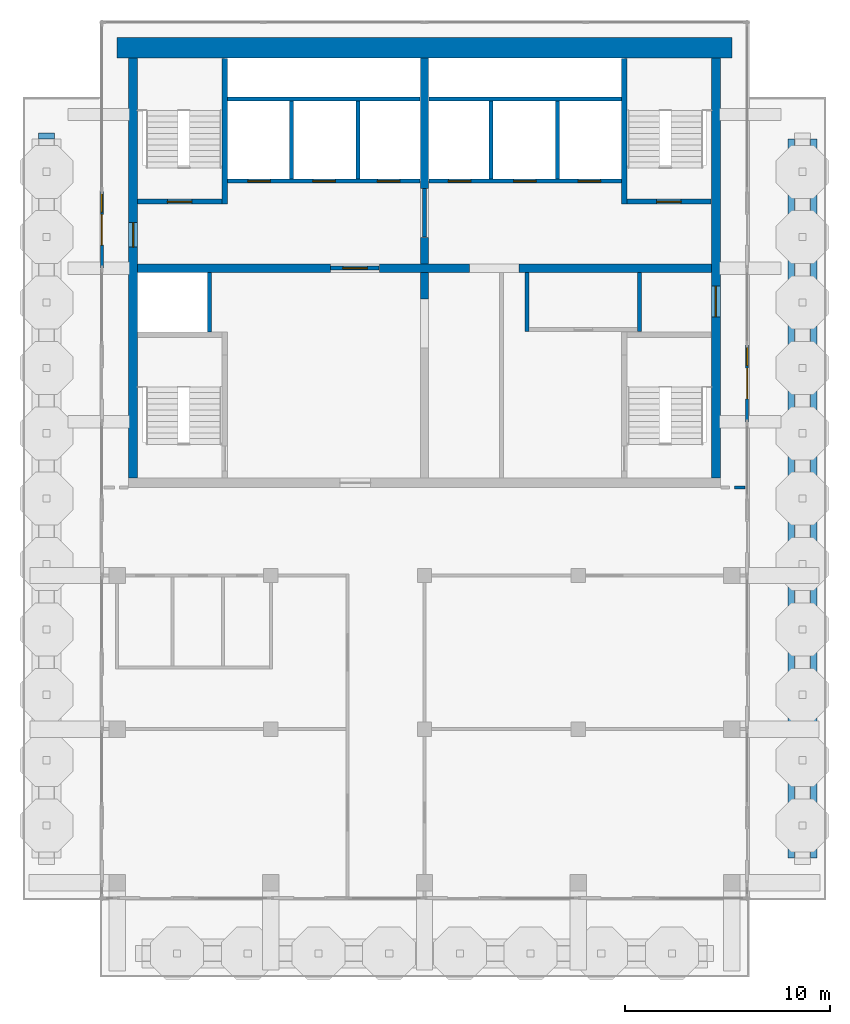
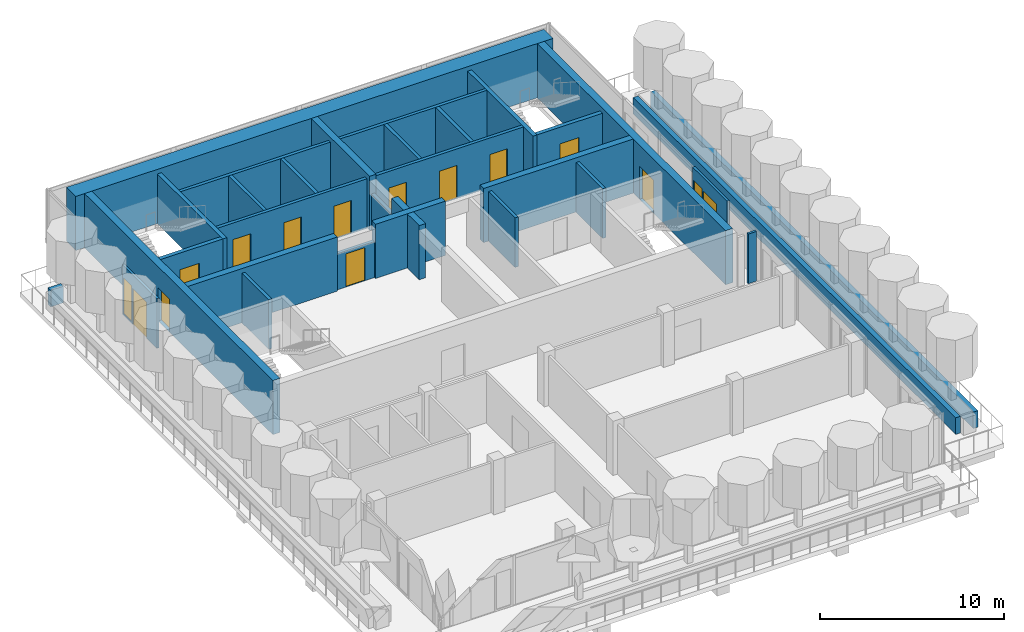
# One storey, part 6 of 10: 32 walls, 13 doors, 2 windows, 15 openings.
"""IFC4 building model written with IfcOpenShell, lengths in metres."""

from ifc_helpers import new_model, si_unit, direction, frame, frame_2d, origin, place, context, subcontext, project, spatial, rectangle, extrude, material, layer, layer_set, type_object, element, fill, save


model = new_model("IFC4")

# Units and contexts
model_context = context("Model", 3, precision=1e-05, world=origin(), true_north=direction((0.0, 1.0)))
body_context = subcontext(model_context, "Body", "Model", "MODEL_VIEW")
ifc_project = project(units=[si_unit("LENGTHUNIT", "METRE"), si_unit("AREAUNIT", "SQUARE_METRE"), si_unit("VOLUMEUNIT", "CUBIC_METRE"), si_unit("PLANEANGLEUNIT", "RADIAN"), si_unit("MASSUNIT", "GRAM", prefix="KILO")], contexts=[model_context])

# Site, building, storey
site_placement = place(None, origin())
site = spatial("IfcSite", under=ifc_project, at=site_placement, CompositionType="ELEMENT")
building_placement = place(site_placement, origin())
building = spatial("IfcBuilding", under=site, at=building_placement, Name="Pilkhan Gate Tower", CompositionType="ELEMENT")
storey_placement = place(building_placement, frame((0.0, 0.0, 272.89990234375)))
storey = spatial("IfcBuildingStorey", under=building, at=storey_placement, Name="L71", CompositionType="ELEMENT", Elevation=272.89990234375)

# Wall
ifc_material_1 = material(Name="Concrete C50/60", Category="concrete")
ifc_layer_1 = layer(ifc_material_1, 1.0)
ifc_layer_set_1 = layer_set([ifc_layer_1], Name="Core wall CW1000 C50/60")
wall_type_1 = type_object("IfcWallType", Name="Core wall CW1000 C50/60", PredefinedType="SHEAR", material=ifc_layer_set_1)
wall_1_placement = place(storey_placement, frame((90.0, 93.25, 0.0), z_axis=(0.0, 0.0, 1.0), x_axis=(-1.0, 0.0, 0.0)))
element("IfcWall", 1, at=wall_1_placement, inside=storey, type_object=wall_type_1, Name="Core wall N L71", PredefinedType="SHEAR", context=body_context, shape_type="SweptSolid", body=[
    extrude(rectangle(XDim=30.0, YDim=1.0, at=frame_2d((15.0, 0.0))), origin(), (0.0, 0.0, 1.0), 3.60009765625),
])

# Wall, opening, door
ifc_layer_2 = layer(ifc_material_1, 0.449951171875)
ifc_layer_set_2 = layer_set([ifc_layer_2], Name="Core wall CW450 C50/60")
wall_type_2 = type_object("IfcWallType", Name="Core wall CW450 C50/60", PredefinedType="SHEAR", material=ifc_layer_set_2)
wall_2_placement = place(storey_placement, frame((89.22509765625, 72.25, 0.0), z_axis=(0.0, 0.0, 1.0), x_axis=(0.0, 1.0, 0.0)))
wall_2 = element("IfcWall", 2, at=wall_2_placement, inside=storey, type_object=wall_type_2, Name="Core wall E L71", PredefinedType="SHEAR", context=body_context, shape_type="SweptSolid", body=[
    extrude(rectangle(XDim=20.5, YDim=0.449951171875, at=frame_2d((10.25, 0.0))), origin(), (0.0, 0.0, 1.0), 3.60009765625),
])
opening_1_placement = place(wall_2_placement, frame((7.875, 0.0, 0.0)))
opening_1 = element("IfcOpeningElement", 3, at=opening_1_placement, cuts=wall_2, Name="Opening L71-07", PredefinedType="OPENING", context=body_context, shape_type="SweptSolid", body=[
    extrude(rectangle(XDim=1.5, YDim=2.199951171875, at=frame_2d((0.75, 1.10009765625))), frame((0.0, 0.23486328125, 0.0), z_axis=(0.0, -1.0, 0.0), x_axis=(1.0, 0.0, 0.0)), (0.0, 0.0, 1.0), 0.469970703125),
])
ifc_material_2 = material(Name="Steel framed glazed door, 60 minute fire resisting", Category="steel")
door_type_1 = type_object("IfcDoorType", Name="Lobby door D09 1500x2200", OperationType="DOUBLE_DOOR_SINGLE_SWING", PredefinedType="DOOR", material=ifc_material_2)
door_1_placement = place(opening_1_placement, origin())
door_1 = element("IfcDoor", 4, at=door_1_placement, inside=storey, type_object=door_type_1, Name="Core door", OperationType="DOUBLE_DOOR_SINGLE_SWING", OverallHeight=2.199951171875, OverallWidth=1.5, PredefinedType="DOOR", context=body_context, shape_type="SweptSolid", body=[
    extrude(rectangle(XDim=1.5, YDim=2.199951171875, at=frame_2d((0.75, 1.10009765625))), frame((0.0, 0.02490234375, 0.0), z_axis=(0.0, -1.0, 0.0), x_axis=(1.0, 0.0, 0.0)), (0.0, 0.0, 1.0), 0.050048828125),
])
fill(opening_1, door_1)

wall_3_placement = place(storey_placement, frame((60.77490234375, 92.75, 0.0), z_axis=(0.0, 0.0, 1.0), x_axis=(0.0, -1.0, 0.0)))
wall_3 = element("IfcWall", 5, at=wall_3_placement, inside=storey, type_object=wall_type_2, Name="Core wall W L71", PredefinedType="SHEAR", context=body_context, shape_type="SweptSolid", body=[
    extrude(rectangle(XDim=20.5, YDim=0.449951171875, at=frame_2d((10.25, 0.0))), origin(), (0.0, 0.0, 1.0), 3.60009765625),
])
opening_2_placement = place(wall_3_placement, frame((8.02490234375, 0.0, 0.0)))
opening_2 = element("IfcOpeningElement", 6, at=opening_2_placement, cuts=wall_3, Name="Opening L71-09", PredefinedType="OPENING", context=body_context, shape_type="SweptSolid", body=[
    extrude(rectangle(XDim=1.199951171875, YDim=2.199951171875, at=frame_2d((0.60009765625, 1.10009765625))), frame((0.0, 0.23486328125, 0.0), z_axis=(0.0, -1.0, 0.0), x_axis=(1.0, 0.0, 0.0)), (0.0, 0.0, 1.0), 0.469970703125),
])
ifc_material_3 = material(Name="Steel door, 120 minute fire resisting, self-closing", Category="steel")
door_type_2 = type_object("IfcDoorType", Name="Firefighting lobby door D10 1200x2200", OperationType="SINGLE_SWING_LEFT", PredefinedType="DOOR", material=ifc_material_3)
door_2_placement = place(opening_2_placement, origin())
door_2 = element("IfcDoor", 7, at=door_2_placement, inside=storey, type_object=door_type_2, Name="Core door", OperationType="SINGLE_SWING_LEFT", OverallHeight=2.199951171875, OverallWidth=1.199951171875, PredefinedType="DOOR", context=body_context, shape_type="SweptSolid", body=[
    extrude(rectangle(XDim=1.199951171875, YDim=2.199951171875, at=frame_2d((0.60009765625, 1.10009765625))), frame((0.0, 0.02490234375, 0.0), z_axis=(0.0, -1.0, 0.0), x_axis=(1.0, 0.0, 0.0)), (0.0, 0.0, 1.0), 0.050048828125),
])
fill(opening_2, door_2)

# Wall, openings, door, window
ifc_material_4 = material(Name="Pale anodised aluminium, clear laminated glazing", Category="aluminium")
ifc_layer_3 = layer(ifc_material_4, 0.14990234375)
ifc_layer_set_3 = layer_set([ifc_layer_3], Name="Facade infill wall IW150")
wall_type_3 = type_object("IfcWallType", Name="Facade infill wall IW150", PredefinedType="SOLIDWALL", material=ifc_layer_set_3)
wall_4_placement = place(storey_placement, frame((90.75, 78.75, 0.0), z_axis=(0.0, 0.0, 1.0), x_axis=(0.0, -1.0, 0.0)))
wall_4 = element("IfcWall", 8, at=wall_4_placement, inside=storey, type_object=wall_type_3, Name="Infill wall L71 E", PredefinedType="SOLIDWALL", context=body_context, shape_type="SweptSolid", body=[
    extrude(rectangle(XDim=3.75, YDim=0.14990234375, at=frame_2d((1.875, 0.0))), origin(), (0.0, 0.0, 1.0), 3.300048828125),
])
opening_3_placement = place(wall_4_placement, frame((0.112548828125, 0.0, 0.10009765625)))
opening_3 = element("IfcOpeningElement", 9, at=opening_3_placement, cuts=wall_4, Name="Opening W1", PredefinedType="OPENING", context=body_context, shape_type="SweptSolid", body=[
    extrude(rectangle(XDim=0.89990234375, YDim=2.39990234375, at=frame_2d((0.449951171875, 1.199951171875))), frame((0.0, 0.0849609375, 0.0), z_axis=(0.0, -1.0, 0.0), x_axis=(1.0, 0.0, 0.0)), (0.0, 0.0, 1.0), 0.169921875),
])
opening_4_placement = place(wall_4_placement, frame((1.125, 0.0, 0.0)))
opening_4 = element("IfcOpeningElement", 10, at=opening_4_placement, cuts=wall_4, Name="Opening D5", PredefinedType="OPENING", context=body_context, shape_type="SweptSolid", body=[
    extrude(rectangle(XDim=1.5, YDim=2.39990234375, at=frame_2d((0.75, 1.199951171875))), frame((0.0, 0.0849609375, 0.0), z_axis=(0.0, -1.0, 0.0), x_axis=(1.0, 0.0, 0.0)), (0.0, 0.0, 1.0), 0.169921875),
])
ifc_material_5 = material(Name="Pale anodised aluminium, clear glazing", Category="aluminium")
door_type_3 = type_object("IfcDoorType", Name="Terrace door D5 1500x2400", OperationType="DOUBLE_DOOR_SINGLE_SWING", PredefinedType="DOOR", material=ifc_material_5)
door_3_placement = place(opening_4_placement, origin())
door_3 = element("IfcDoor", 11, at=door_3_placement, inside=storey, type_object=door_type_3, Name="Terrace door L71", OperationType="DOUBLE_DOOR_SINGLE_SWING", OverallHeight=2.39990234375, OverallWidth=1.5, PredefinedType="DOOR", context=body_context, shape_type="SweptSolid", body=[
    extrude(rectangle(XDim=1.5, YDim=2.39990234375, at=frame_2d((0.75, 1.199951171875))), frame((0.0, 0.02490234375, 0.0), z_axis=(0.0, -1.0, 0.0), x_axis=(1.0, 0.0, 0.0)), (0.0, 0.0, 1.0), 0.050048828125),
])
fill(opening_4, door_3)
ifc_material_6 = material(Name="Pale anodised aluminium, clear double glazing", Category="aluminium")
window_type = type_object("IfcWindowType", Name="Window W1 900x2400", PartitioningType="SINGLE_PANEL", PredefinedType="WINDOW", material=ifc_material_6)
window_1_placement = place(opening_3_placement, origin())
window_1 = element("IfcWindow", 12, at=window_1_placement, inside=storey, type_object=window_type, Name="Window L71", OverallHeight=2.39990234375, OverallWidth=0.89990234375, PartitioningType="SINGLE_PANEL", PredefinedType="WINDOW", context=body_context, shape_type="SweptSolid", body=[
    extrude(rectangle(XDim=0.89990234375, YDim=2.39990234375, at=frame_2d((0.449951171875, 1.199951171875))), frame((0.0, 0.030029296875, 0.0), z_axis=(0.0, -1.0, 0.0), x_axis=(1.0, 0.0, 0.0)), (0.0, 0.0, 1.0), 0.06005859375),
])
fill(opening_3, window_1)

wall_5_placement = place(storey_placement, frame((59.25, 82.5, 0.0), z_axis=(0.0, 0.0, 1.0), x_axis=(0.0, 1.0, 0.0)))
wall_5 = element("IfcWall", 13, at=wall_5_placement, inside=storey, type_object=wall_type_3, Name="Infill wall L71 W", PredefinedType="SOLIDWALL", context=body_context, shape_type="SweptSolid", body=[
    extrude(rectangle(XDim=3.75, YDim=0.14990234375, at=frame_2d((1.875, 0.0))), origin(), (0.0, 0.0, 1.0), 3.300048828125),
])
opening_5_placement = place(wall_5_placement, frame((1.125, 0.0, 0.0)))
opening_5 = element("IfcOpeningElement", 14, at=opening_5_placement, cuts=wall_5, Name="Opening D5", PredefinedType="OPENING", context=body_context, shape_type="SweptSolid", body=[
    extrude(rectangle(XDim=1.5, YDim=2.39990234375, at=frame_2d((0.75, 1.199951171875))), frame((0.0, 0.0849609375, 0.0), z_axis=(0.0, -1.0, 0.0), x_axis=(1.0, 0.0, 0.0)), (0.0, 0.0, 1.0), 0.169921875),
])
opening_6_placement = place(wall_5_placement, frame((2.737548828125, 0.0, 0.10009765625)))
opening_6 = element("IfcOpeningElement", 15, at=opening_6_placement, cuts=wall_5, Name="Opening W1", PredefinedType="OPENING", context=body_context, shape_type="SweptSolid", body=[
    extrude(rectangle(XDim=0.89990234375, YDim=2.39990234375, at=frame_2d((0.449951171875, 1.199951171875))), frame((0.0, 0.0849609375, 0.0), z_axis=(0.0, -1.0, 0.0), x_axis=(1.0, 0.0, 0.0)), (0.0, 0.0, 1.0), 0.169921875),
])
door_4_placement = place(opening_5_placement, origin())
door_4 = element("IfcDoor", 16, at=door_4_placement, inside=storey, type_object=door_type_3, Name="Terrace door L71", OperationType="DOUBLE_DOOR_SINGLE_SWING", OverallHeight=2.39990234375, OverallWidth=1.5, PredefinedType="DOOR", context=body_context, shape_type="SweptSolid", body=[
    extrude(rectangle(XDim=1.5, YDim=2.39990234375, at=frame_2d((0.75, 1.199951171875))), frame((0.0, 0.02490234375, 0.0), z_axis=(0.0, -1.0, 0.0), x_axis=(1.0, 0.0, 0.0)), (0.0, 0.0, 1.0), 0.050048828125),
])
fill(opening_5, door_4)
window_2_placement = place(opening_6_placement, origin())
window_2 = element("IfcWindow", 17, at=window_2_placement, inside=storey, type_object=window_type, Name="Window L71", OverallHeight=2.39990234375, OverallWidth=0.89990234375, PartitioningType="SINGLE_PANEL", PredefinedType="WINDOW", context=body_context, shape_type="SweptSolid", body=[
    extrude(rectangle(XDim=0.89990234375, YDim=2.39990234375, at=frame_2d((0.449951171875, 1.199951171875))), frame((0.0, 0.030029296875, 0.0), z_axis=(0.0, -1.0, 0.0), x_axis=(1.0, 0.0, 0.0)), (0.0, 0.0, 1.0), 0.06005859375),
])
fill(opening_6, window_2)

# Wall, opening, door
ifc_material_7 = material(Name="Dense blockwork", Category="masonry")
ifc_layer_4 = layer(ifc_material_7, 0.199951171875)
ifc_layer_set_4 = layer_set([ifc_layer_4], Name="Lobby wall LW200")
wall_type_4 = type_object("IfcWallType", Name="Lobby wall LW200", PredefinedType="PARTITIONING", material=ifc_layer_set_4)
wall_6_placement = place(storey_placement, frame((70.409912109375, 82.5, 0.0), z_axis=(0.0, 0.0, 1.0), x_axis=(1.0, 0.0, 0.0)))
wall_6 = element("IfcWall", 18, at=wall_6_placement, inside=storey, type_object=wall_type_4, Name="Partition L71", PredefinedType="PARTITIONING", context=body_context, shape_type="SweptSolid", body=[
    extrude(rectangle(XDim=2.380126953125, YDim=0.199951171875, at=frame_2d((1.18994140625, 0.0))), origin(), (0.0, 0.0, 1.0), 2.400146484375),
])
opening_7_placement = place(wall_6_placement, frame((0.60009765625, 0.0, 0.0)))
opening_7 = element("IfcOpeningElement", 19, at=opening_7_placement, cuts=wall_6, Name="Opening L71-01", PredefinedType="OPENING", context=body_context, shape_type="SweptSolid", body=[
    extrude(rectangle(XDim=1.199951171875, YDim=2.199951171875, at=frame_2d((0.60009765625, 1.10009765625))), frame((0.0, 0.10986328125, 0.0), z_axis=(0.0, -1.0, 0.0), x_axis=(1.0, 0.0, 0.0)), (0.0, 0.0, 1.0), 0.219970703125),
])
door_5_placement = place(opening_7_placement, origin())
door_5 = element("IfcDoor", 20, at=door_5_placement, inside=storey, type_object=door_type_2, Name="Firefighting lobby door", OperationType="SINGLE_SWING_LEFT", OverallHeight=2.199951171875, OverallWidth=1.199951171875, PredefinedType="DOOR", context=body_context, shape_type="SweptSolid", body=[
    extrude(rectangle(XDim=1.199951171875, YDim=2.199951171875, at=frame_2d((0.60009765625, 1.10009765625))), frame((0.0, 0.02490234375, 0.0), z_axis=(0.0, -1.0, 0.0), x_axis=(1.0, 0.0, 0.0)), (0.0, 0.0, 1.0), 0.050048828125),
])
fill(opening_7, door_5)

# Walls
wall_7_placement = place(storey_placement, frame((75.0, 84.010009765625, 0.0), z_axis=(0.0, 0.0, 1.0), x_axis=(0.0, 1.0, 0.0)))
element("IfcWall", 21, at=wall_7_placement, inside=storey, type_object=wall_type_4, Name="Partition L71", PredefinedType="PARTITIONING", context=body_context, shape_type="SweptSolid", body=[
    extrude(rectangle(XDim=2.3798828125, YDim=0.199951171875, at=frame_2d((1.18994140625, 0.0))), origin(), (0.0, 0.0, 1.0), 2.400146484375),
])
for number, where, z_axis, x_axis, name in (
    (22, (80.0, 79.39990234375, 0.0), (0.0, 0.0, 1.0), (0.0, 1.0, 0.0), "Partition L71"),
    (23, (85.5, 79.39990234375, 0.0), (0.0, 0.0, 1.0), (0.0, 1.0, 0.0), "Partition L71"),
):
    element("IfcWall", number, at=place(storey_placement, frame(where, z_axis=z_axis, x_axis=x_axis)), inside=storey, type_object=wall_type_4, Name=name, PredefinedType="PARTITIONING", context=body_context, shape_type="SweptSolid", body=[
        extrude(rectangle(XDim=2.89013671875, YDim=0.199951171875, at=frame_2d((1.445068359375, 0.0))), origin(), (0.0, 0.0, 1.0), 3.300048828125),
    ])
ifc_material_8 = material(Name="Blockwork partition, plastered both sides", Category="masonry")
ifc_layer_5 = layer(ifc_material_8, 0.14990234375)
ifc_layer_set_5 = layer_set([ifc_layer_5], Name="Partition PW150")
wall_type_5 = type_object("IfcWallType", Name="Partition PW150", PredefinedType="PARTITIONING", material=ifc_layer_set_5)
wall_8_placement = place(storey_placement, frame((90.1201171875, 71.800048828125, 0.0), z_axis=(0.0, 0.0, 1.0), x_axis=(1.0, 0.0, 0.0)))
element("IfcWall", 24, at=wall_8_placement, inside=storey, type_object=wall_type_5, Name="Partition L71", PredefinedType="PARTITIONING", context=body_context, shape_type="SweptSolid", body=[
    extrude(rectangle(XDim=0.52490234375, YDim=0.14990234375, at=frame_2d((0.262451171875, 0.0))), origin(), (0.0, 0.0, 1.0), 3.300048828125),
])

# Wall, openings, doors
ifc_material_9 = material(Name="Reinforced blockwork shaft wall, 120 minute fire resisting", Category="masonry")
ifc_layer_6 = layer(ifc_material_9, 0.199951171875)
ifc_layer_set_6 = layer_set([ifc_layer_6], Name="Shaft wall SW200")
wall_type_6 = type_object("IfcWallType", Name="Shaft wall SW200", PredefinedType="PARTITIONING", material=ifc_layer_set_6)
wall_9_placement = place(storey_placement, frame((65.375, 86.75, 0.0), z_axis=(0.0, 0.0, 1.0), x_axis=(1.0, 0.0, 0.0)))
wall_9 = element("IfcWall", 25, at=wall_9_placement, inside=storey, type_object=wall_type_6, Name="Partition L71", PredefinedType="PARTITIONING", context=body_context, shape_type="SweptSolid", body=[
    extrude(rectangle(XDim=9.4150390625, YDim=0.199951171875, at=frame_2d((4.70751953125, 0.0))), origin(), (0.0, 0.0, 1.0), 3.300048828125),
])
opening_8_placement = place(wall_9_placement, frame((1.0, 0.0, 0.0)))
opening_8 = element("IfcOpeningElement", 26, at=opening_8_placement, cuts=wall_9, Name="Opening LD", PredefinedType="OPENING", context=body_context, shape_type="SweptSolid", body=[
    extrude(rectangle(XDim=1.10009765625, YDim=2.199951171875, at=frame_2d((0.550048828125, 1.10009765625))), frame((0.0, 0.10986328125, 0.0), z_axis=(0.0, -1.0, 0.0), x_axis=(1.0, 0.0, 0.0)), (0.0, 0.0, 1.0), 0.219970703125),
])
opening_9_placement = place(wall_9_placement, frame((4.175048828125, 0.0, 0.0)))
opening_9 = element("IfcOpeningElement", 27, at=opening_9_placement, cuts=wall_9, Name="Opening LD", PredefinedType="OPENING", context=body_context, shape_type="SweptSolid", body=[
    extrude(rectangle(XDim=1.10009765625, YDim=2.199951171875, at=frame_2d((0.550048828125, 1.10009765625))), frame((0.0, 0.10986328125, 0.0), z_axis=(0.0, -1.0, 0.0), x_axis=(1.0, 0.0, 0.0)), (0.0, 0.0, 1.0), 0.219970703125),
])
opening_10_placement = place(wall_9_placement, frame((7.324951171875, 0.0, 0.0)))
opening_10 = element("IfcOpeningElement", 28, at=opening_10_placement, cuts=wall_9, Name="Opening LD", PredefinedType="OPENING", context=body_context, shape_type="SweptSolid", body=[
    extrude(rectangle(XDim=1.10009765625, YDim=2.199951171875, at=frame_2d((0.550048828125, 1.10009765625))), frame((0.0, 0.10986328125, 0.0), z_axis=(0.0, -1.0, 0.0), x_axis=(1.0, 0.0, 0.0)), (0.0, 0.0, 1.0), 0.219970703125),
])
ifc_material_10 = material(Name="Stainless steel centre-opening landing door, 120 minute fire resisting", Category="steel")
door_type_4 = type_object("IfcDoorType", Name="Lift landing door LD 1100x2200", OperationType="DOUBLE_DOOR_SLIDING", PredefinedType="DOOR", material=ifc_material_10)
door_6_placement = place(opening_8_placement, origin())
door_6 = element("IfcDoor", 29, at=door_6_placement, inside=storey, type_object=door_type_4, Name="Landing door FF1", OperationType="DOUBLE_DOOR_SLIDING", OverallHeight=2.199951171875, OverallWidth=1.10009765625, PredefinedType="DOOR", context=body_context, shape_type="SweptSolid", body=[
    extrude(rectangle(XDim=1.10009765625, YDim=2.199951171875, at=frame_2d((0.550048828125, 1.10009765625))), frame((0.0, 0.02490234375, 0.0), z_axis=(0.0, -1.0, 0.0), x_axis=(1.0, 0.0, 0.0)), (0.0, 0.0, 1.0), 0.050048828125),
])
fill(opening_8, door_6)
door_7_placement = place(opening_9_placement, origin())
door_7 = element("IfcDoor", 30, at=door_7_placement, inside=storey, type_object=door_type_4, Name="Landing door FF2", OperationType="DOUBLE_DOOR_SLIDING", OverallHeight=2.199951171875, OverallWidth=1.10009765625, PredefinedType="DOOR", context=body_context, shape_type="SweptSolid", body=[
    extrude(rectangle(XDim=1.10009765625, YDim=2.199951171875, at=frame_2d((0.550048828125, 1.10009765625))), frame((0.0, 0.02490234375, 0.0), z_axis=(0.0, -1.0, 0.0), x_axis=(1.0, 0.0, 0.0)), (0.0, 0.0, 1.0), 0.050048828125),
])
fill(opening_9, door_7)
door_8_placement = place(opening_10_placement, origin())
door_8 = element("IfcDoor", 31, at=door_8_placement, inside=storey, type_object=door_type_4, Name="Landing door SV1", OperationType="DOUBLE_DOOR_SLIDING", OverallHeight=2.199951171875, OverallWidth=1.10009765625, PredefinedType="DOOR", context=body_context, shape_type="SweptSolid", body=[
    extrude(rectangle(XDim=1.10009765625, YDim=2.199951171875, at=frame_2d((0.550048828125, 1.10009765625))), frame((0.0, 0.02490234375, 0.0), z_axis=(0.0, -1.0, 0.0), x_axis=(1.0, 0.0, 0.0)), (0.0, 0.0, 1.0), 0.050048828125),
])
fill(opening_10, door_8)

wall_10_placement = place(storey_placement, frame((75.2099609375, 86.75, 0.0), z_axis=(0.0, 0.0, 1.0), x_axis=(1.0, 0.0, 0.0)))
wall_10 = element("IfcWall", 32, at=wall_10_placement, inside=storey, type_object=wall_type_6, Name="Partition L71", PredefinedType="PARTITIONING", context=body_context, shape_type="SweptSolid", body=[
    extrude(rectangle(XDim=9.4150390625, YDim=0.199951171875, at=frame_2d((4.70751953125, 0.0))), origin(), (0.0, 0.0, 1.0), 3.300048828125),
])
opening_11_placement = place(wall_10_placement, frame((0.949951171875, 0.0, 0.0)))
opening_11 = element("IfcOpeningElement", 33, at=opening_11_placement, cuts=wall_10, Name="Opening LD", PredefinedType="OPENING", context=body_context, shape_type="SweptSolid", body=[
    extrude(rectangle(XDim=1.10009765625, YDim=2.199951171875, at=frame_2d((0.550048828125, 1.10009765625))), frame((0.0, 0.10986328125, 0.0), z_axis=(0.0, -1.0, 0.0), x_axis=(1.0, 0.0, 0.0)), (0.0, 0.0, 1.0), 0.219970703125),
])
opening_12_placement = place(wall_10_placement, frame((4.139892578125, 0.0, 0.0)))
opening_12 = element("IfcOpeningElement", 34, at=opening_12_placement, cuts=wall_10, Name="Opening LD", PredefinedType="OPENING", context=body_context, shape_type="SweptSolid", body=[
    extrude(rectangle(XDim=1.10009765625, YDim=2.199951171875, at=frame_2d((0.550048828125, 1.10009765625))), frame((0.0, 0.10986328125, 0.0), z_axis=(0.0, -1.0, 0.0), x_axis=(1.0, 0.0, 0.0)), (0.0, 0.0, 1.0), 0.219970703125),
])
opening_13_placement = place(wall_10_placement, frame((7.2900390625, 0.0, 0.0)))
opening_13 = element("IfcOpeningElement", 35, at=opening_13_placement, cuts=wall_10, Name="Opening LD", PredefinedType="OPENING", context=body_context, shape_type="SweptSolid", body=[
    extrude(rectangle(XDim=1.10009765625, YDim=2.199951171875, at=frame_2d((0.550048828125, 1.10009765625))), frame((0.0, 0.10986328125, 0.0), z_axis=(0.0, -1.0, 0.0), x_axis=(1.0, 0.0, 0.0)), (0.0, 0.0, 1.0), 0.219970703125),
])
door_9_placement = place(opening_11_placement, origin())
door_9 = element("IfcDoor", 36, at=door_9_placement, inside=storey, type_object=door_type_4, Name="Landing door HR1", OperationType="DOUBLE_DOOR_SLIDING", OverallHeight=2.199951171875, OverallWidth=1.10009765625, PredefinedType="DOOR", context=body_context, shape_type="SweptSolid", body=[
    extrude(rectangle(XDim=1.10009765625, YDim=2.199951171875, at=frame_2d((0.550048828125, 1.10009765625))), frame((0.0, 0.02490234375, 0.0), z_axis=(0.0, -1.0, 0.0), x_axis=(1.0, 0.0, 0.0)), (0.0, 0.0, 1.0), 0.050048828125),
])
fill(opening_11, door_9)
door_10_placement = place(opening_12_placement, origin())
door_10 = element("IfcDoor", 37, at=door_10_placement, inside=storey, type_object=door_type_4, Name="Landing door HR2", OperationType="DOUBLE_DOOR_SLIDING", OverallHeight=2.199951171875, OverallWidth=1.10009765625, PredefinedType="DOOR", context=body_context, shape_type="SweptSolid", body=[
    extrude(rectangle(XDim=1.10009765625, YDim=2.199951171875, at=frame_2d((0.550048828125, 1.10009765625))), frame((0.0, 0.02490234375, 0.0), z_axis=(0.0, -1.0, 0.0), x_axis=(1.0, 0.0, 0.0)), (0.0, 0.0, 1.0), 0.050048828125),
])
fill(opening_12, door_10)
door_11_placement = place(opening_13_placement, origin())
door_11 = element("IfcDoor", 38, at=door_11_placement, inside=storey, type_object=door_type_4, Name="Landing door HR3", OperationType="DOUBLE_DOOR_SLIDING", OverallHeight=2.199951171875, OverallWidth=1.10009765625, PredefinedType="DOOR", context=body_context, shape_type="SweptSolid", body=[
    extrude(rectangle(XDim=1.10009765625, YDim=2.199951171875, at=frame_2d((0.550048828125, 1.10009765625))), frame((0.0, 0.02490234375, 0.0), z_axis=(0.0, -1.0, 0.0), x_axis=(1.0, 0.0, 0.0)), (0.0, 0.0, 1.0), 0.050048828125),
])
fill(opening_13, door_11)

# Walls
for number, where, z_axis, x_axis, name in (
    (39, (65.375, 90.75, 0.0), (0.0, 0.0, 1.0), (1.0, 0.0, 0.0), "Partition L71"),
    (40, (75.2099609375, 90.75, 0.0), (0.0, 0.0, 1.0), (1.0, 0.0, 0.0), "Partition L71"),
):
    element("IfcWall", number, at=place(storey_placement, frame(where, z_axis=z_axis, x_axis=x_axis)), inside=storey, type_object=wall_type_6, Name=name, PredefinedType="PARTITIONING", context=body_context, shape_type="SweptSolid", body=[
        extrude(rectangle(XDim=9.4150390625, YDim=0.199951171875, at=frame_2d((4.70751953125, 0.0))), origin(), (0.0, 0.0, 1.0), 3.300048828125),
    ])
wall_11_placement = place(storey_placement, frame((64.5, 79.375, 0.0), z_axis=(0.0, 0.0, 1.0), x_axis=(0.0, 1.0, 0.0)))
element("IfcWall", 41, at=wall_11_placement, inside=storey, type_object=wall_type_6, Name="Partition L71", PredefinedType="PARTITIONING", context=body_context, shape_type="SweptSolid", body=[
    extrude(rectangle(XDim=2.9150390625, YDim=0.199951171875, at=frame_2d((1.45751953125, 0.0))), origin(), (0.0, 0.0, 1.0), 3.300048828125),
])
for number, where, z_axis, x_axis, name in (
    (42, (68.5, 86.85009765625, 0.0), (0.0, 0.0, 1.0), (0.0, 1.0, 0.0), "Partition L71"),
    (43, (71.75, 86.85009765625, 0.0), (0.0, 0.0, 1.0), (0.0, 1.0, 0.0), "Partition L71"),
    (44, (78.25, 86.85009765625, 0.0), (0.0, 0.0, 1.0), (0.0, 1.0, 0.0), "Partition L71"),
    (45, (81.5, 86.85009765625, 0.0), (0.0, 0.0, 1.0), (0.0, 1.0, 0.0), "Partition L71"),
):
    element("IfcWall", number, at=place(storey_placement, frame(where, z_axis=z_axis, x_axis=x_axis)), inside=storey, type_object=wall_type_6, Name=name, PredefinedType="PARTITIONING", context=body_context, shape_type="SweptSolid", body=[
        extrude(rectangle(XDim=3.7998046875, YDim=0.199951171875, at=frame_2d((1.89990234375, 0.0))), origin(), (0.0, 0.0, 1.0), 3.300048828125),
    ])
ifc_layer_7 = layer(ifc_material_1, 0.39990234375)
ifc_layer_set_7 = layer_set([ifc_layer_7], Name="Spine wall SW400 C50/60")
wall_type_7 = type_object("IfcWallType", Name="Spine wall SW400 C50/60", PredefinedType="SHEAR", material=ifc_layer_set_7)
wall_12_placement = place(storey_placement, frame((61.0, 82.5, 0.0), z_axis=(0.0, 0.0, 1.0), x_axis=(1.0, 0.0, 0.0)))
element("IfcWall", 46, at=wall_12_placement, inside=storey, type_object=wall_type_7, Name="Spine wall SP-EW1 L71", PredefinedType="SHEAR", context=body_context, shape_type="SweptSolid", body=[
    extrude(rectangle(XDim=9.39990234375, YDim=0.39990234375, at=frame_2d((4.699951171875, 0.0))), origin(), (0.0, 0.0, 1.0), 3.60009765625),
])
wall_13_placement = place(storey_placement, frame((72.800048828125, 82.5, 0.0), z_axis=(0.0, 0.0, 1.0), x_axis=(1.0, 0.0, 0.0)))
element("IfcWall", 47, at=wall_13_placement, inside=storey, type_object=wall_type_7, Name="Spine wall SP-EW2 L71", PredefinedType="SHEAR", context=body_context, shape_type="SweptSolid", body=[
    extrude(rectangle(XDim=4.39990234375, YDim=0.39990234375, at=frame_2d((2.199951171875, 0.0))), origin(), (0.0, 0.0, 1.0), 3.60009765625),
])
wall_14_placement = place(storey_placement, frame((79.60009765625, 82.5, 0.0), z_axis=(0.0, 0.0, 1.0), x_axis=(1.0, 0.0, 0.0)))
element("IfcWall", 48, at=wall_14_placement, inside=storey, type_object=wall_type_7, Name="Spine wall SP-EW3 L71", PredefinedType="SHEAR", context=body_context, shape_type="SweptSolid", body=[
    extrude(rectangle(XDim=9.39990234375, YDim=0.39990234375, at=frame_2d((4.699951171875, 0.0))), origin(), (0.0, 0.0, 1.0), 3.60009765625),
])
for number, where, z_axis, x_axis, name in (
    (49, (75.0, 81.0, 0.0), (0.0, 0.0, 1.0), (0.0, 1.0, 0.0), "Spine wall SP-NS-S2 L71"),
    (50, (75.0, 82.699951171875, 0.0), (0.0, 0.0, 1.0), (0.0, 1.0, 0.0), "Spine wall SP-NS-N1 L71"),
):
    element("IfcWall", number, at=place(storey_placement, frame(where, z_axis=z_axis, x_axis=x_axis)), inside=storey, type_object=wall_type_7, Name=name, PredefinedType="SHEAR", context=body_context, shape_type="SweptSolid", body=[
        extrude(rectangle(XDim=1.300048828125, YDim=0.39990234375, at=frame_2d((0.64990234375, 0.0))), origin(), (0.0, 0.0, 1.0), 3.60009765625),
    ])
wall_15_placement = place(storey_placement, frame((75.0, 86.39990234375, 0.0), z_axis=(0.0, 0.0, 1.0), x_axis=(0.0, 1.0, 0.0)))
element("IfcWall", 51, at=wall_15_placement, inside=storey, type_object=wall_type_7, Name="Spine wall SP-NS-N2 L71", PredefinedType="SHEAR", context=body_context, shape_type="SweptSolid", body=[
    extrude(rectangle(XDim=6.35009765625, YDim=0.39990234375, at=frame_2d((3.175048828125, 0.0))), origin(), (0.0, 0.0, 1.0), 3.60009765625),
])

# Wall, opening, door
ifc_material_11 = material(Name="Reinforced blockwork, 120 minute fire resisting", Category="masonry")
ifc_layer_8 = layer(ifc_material_11, 0.25)
ifc_layer_set_8 = layer_set([ifc_layer_8], Name="Stair enclosure wall SE250")
wall_type_8 = type_object("IfcWallType", Name="Stair enclosure wall SE250", PredefinedType="PARTITIONING", material=ifc_layer_set_8)
wall_16_placement = place(storey_placement, frame((61.0, 85.75, 0.0), z_axis=(0.0, 0.0, 1.0), x_axis=(1.0, 0.0, 0.0)))
wall_16 = element("IfcWall", 52, at=wall_16_placement, inside=storey, type_object=wall_type_8, Name="Partition L71", PredefinedType="PARTITIONING", context=body_context, shape_type="SweptSolid", body=[
    extrude(rectangle(XDim=4.125, YDim=0.25, at=frame_2d((2.0625, 0.0))), origin(), (0.0, 0.0, 1.0), 3.300048828125),
])
opening_14_placement = place(wall_16_placement, frame((1.449951171875, 0.0, 0.0)))
opening_14 = element("IfcOpeningElement", 53, at=opening_14_placement, cuts=wall_16, Name="Opening L71-02", PredefinedType="OPENING", context=body_context, shape_type="SweptSolid", body=[
    extrude(rectangle(XDim=1.199951171875, YDim=2.199951171875, at=frame_2d((0.60009765625, 1.10009765625))), frame((0.0, 0.135009765625, 0.0), z_axis=(0.0, -1.0, 0.0), x_axis=(1.0, 0.0, 0.0)), (0.0, 0.0, 1.0), 0.27001953125),
])
ifc_material_12 = material(Name="Steel door, 120 minute fire resisting, panic bar", Category="steel")
door_type_5 = type_object("IfcDoorType", Name="Stair door D11 1200x2200", OperationType="SINGLE_SWING_LEFT", PredefinedType="DOOR", material=ifc_material_12)
door_12_placement = place(opening_14_placement, origin())
door_12 = element("IfcDoor", 54, at=door_12_placement, inside=storey, type_object=door_type_5, Name="Stair ST3 lobby door", OperationType="SINGLE_SWING_RIGHT", OverallHeight=2.199951171875, OverallWidth=1.199951171875, PredefinedType="DOOR", context=body_context, shape_type="SweptSolid", body=[
    extrude(rectangle(XDim=1.199951171875, YDim=2.199951171875, at=frame_2d((0.60009765625, 1.10009765625))), frame((0.0, 0.02490234375, 0.0), z_axis=(0.0, -1.0, 0.0), x_axis=(1.0, 0.0, 0.0)), (0.0, 0.0, 1.0), 0.050048828125),
])
fill(opening_14, door_12)

wall_17_placement = place(storey_placement, frame((84.875, 85.75, 0.0), z_axis=(0.0, 0.0, 1.0), x_axis=(1.0, 0.0, 0.0)))
wall_17 = element("IfcWall", 55, at=wall_17_placement, inside=storey, type_object=wall_type_8, Name="Partition L71", PredefinedType="PARTITIONING", context=body_context, shape_type="SweptSolid", body=[
    extrude(rectangle(XDim=4.114990234375, YDim=0.25, at=frame_2d((2.0576171875, 0.0))), origin(), (0.0, 0.0, 1.0), 3.300048828125),
])
opening_15_placement = place(wall_17_placement, frame((1.449951171875, 0.0, 0.0)))
opening_15 = element("IfcOpeningElement", 56, at=opening_15_placement, cuts=wall_17, Name="Opening L71-03", PredefinedType="OPENING", context=body_context, shape_type="SweptSolid", body=[
    extrude(rectangle(XDim=1.199951171875, YDim=2.199951171875, at=frame_2d((0.60009765625, 1.10009765625))), frame((0.0, 0.135009765625, 0.0), z_axis=(0.0, -1.0, 0.0), x_axis=(1.0, 0.0, 0.0)), (0.0, 0.0, 1.0), 0.27001953125),
])
door_13_placement = place(opening_15_placement, origin())
door_13 = element("IfcDoor", 57, at=door_13_placement, inside=storey, type_object=door_type_5, Name="Stair ST4 lobby door", OperationType="SINGLE_SWING_LEFT", OverallHeight=2.199951171875, OverallWidth=1.199951171875, PredefinedType="DOOR", context=body_context, shape_type="SweptSolid", body=[
    extrude(rectangle(XDim=1.199951171875, YDim=2.199951171875, at=frame_2d((0.60009765625, 1.10009765625))), frame((0.0, 0.02490234375, 0.0), z_axis=(0.0, -1.0, 0.0), x_axis=(1.0, 0.0, 0.0)), (0.0, 0.0, 1.0), 0.050048828125),
])
fill(opening_15, door_13)

# Walls
for number, where, z_axis, x_axis, name in (
    (58, (65.25, 85.625, 0.0), (0.0, 0.0, 1.0), (0.0, 1.0, 0.0), "Partition L71"),
    (59, (84.75, 85.625, 0.0), (0.0, 0.0, 1.0), (0.0, 1.0, 0.0), "Partition L71"),
):
    element("IfcWall", number, at=place(storey_placement, frame(where, z_axis=z_axis, x_axis=x_axis)), inside=storey, type_object=wall_type_8, Name=name, PredefinedType="PARTITIONING", context=body_context, shape_type="SweptSolid", body=[
        extrude(rectangle(XDim=7.114990234375, YDim=0.25, at=frame_2d((3.5576171875, 0.0))), origin(), (0.0, 0.0, 1.0), 3.300048828125),
    ])
ifc_material_13 = material(Name="Concrete C40/50", Category="concrete")
ifc_layer_9 = layer(ifc_material_13, 0.300048828125)
ifc_layer_set_9 = layer_set([ifc_layer_9], Name="Terrace planter TP800")
wall_type_9 = type_object("IfcWallType", Name="Terrace planter TP800", PredefinedType="USERDEFINED", material=ifc_layer_set_9)
for number, where, z_axis, x_axis, name in (
    (60, (94.0, 88.800048828125, 0.0), (0.0, 0.0, 1.0), (0.0, -1.0, 0.0), "Terrace planter L71"),
    (61, (92.89990234375, 88.800048828125, 0.0), (0.0, 0.0, 1.0), (0.0, -1.0, 0.0), "Terrace planter L71"),
):
    element("IfcWall", number, at=place(storey_placement, frame(where, z_axis=z_axis, x_axis=x_axis)), inside=storey, type_object=wall_type_9, Name=name, ObjectType="TERRACE PLANTER", PredefinedType="USERDEFINED", context=body_context, shape_type="SweptSolid", body=[
        extrude(rectangle(XDim=35.10009765625, YDim=0.300048828125, at=frame_2d((17.550048828125, 0.0))), origin(), (0.0, 0.0, 1.0), 1.10009765625),
    ])
wall_18_placement = place(storey_placement, frame((56.949951171875, 88.949951171875, 0.0), z_axis=(0.0, 0.0, 1.0), x_axis=(-1.0, 0.0, 0.0)))
element("IfcWall", 62, at=wall_18_placement, inside=storey, type_object=wall_type_9, Name="Terrace planter L71", ObjectType="TERRACE PLANTER", PredefinedType="USERDEFINED", context=body_context, shape_type="SweptSolid", body=[
    extrude(rectangle(XDim=0.800048828125, YDim=0.300048828125, at=frame_2d((0.39990234375, 0.0))), origin(), (0.0, 0.0, 1.0), 1.10009765625),
])

save(model, "model.ifc")
